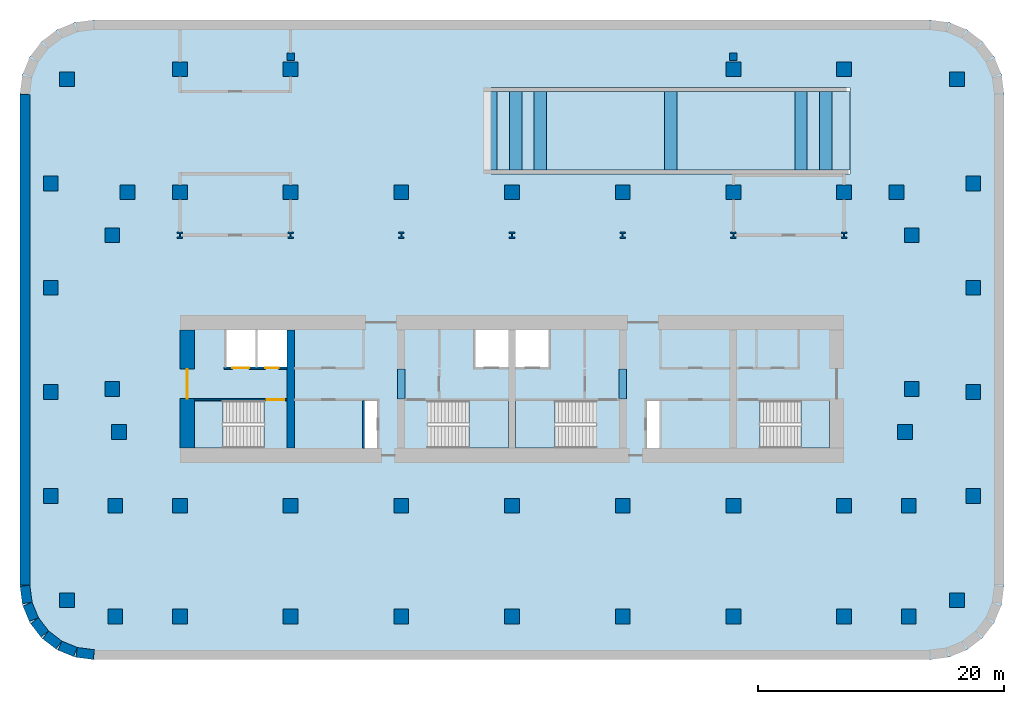
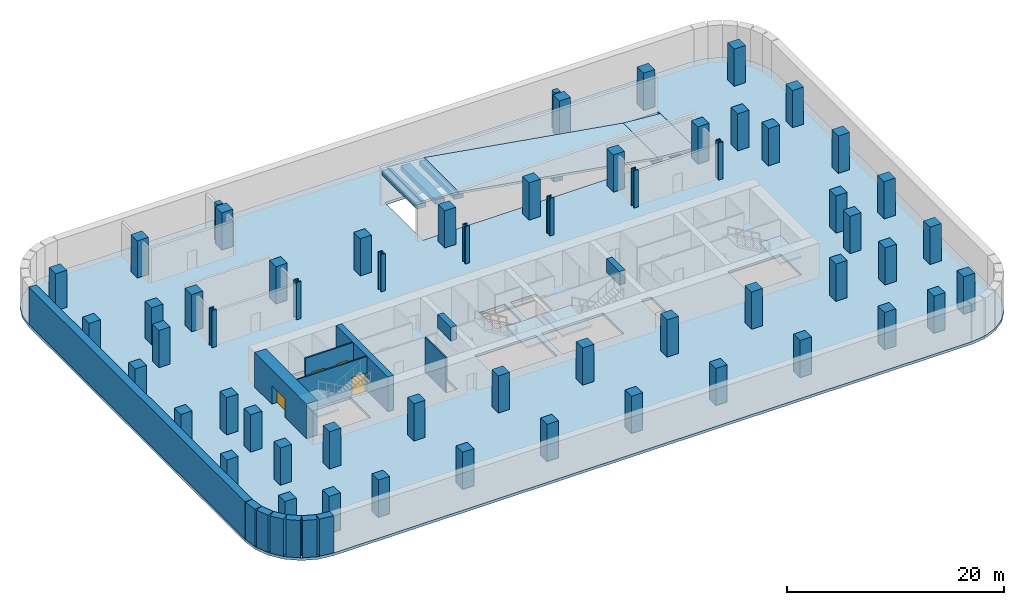
# One storey, part 1 of 5: 58 columns, 12 walls, 8 beams, 8 slabs, 4 doors, 4 openings, 5 elements without a shape of their own.
"""IFC4 building model written with IfcOpenShell, lengths in metres."""

import ifcopenshell
import ifcopenshell.guid

model = None  # the IFC model being written
_history = None  # IfcOwnerHistory: only IFC2X3 demands one
_inside = {}  # id of a spatial element -> (the spatial element, [elements in it])
_under = {}  # id of a project, library or spatial element -> (it, [spatial elements below it])
_declared = {}  # id of a project -> (the project, [libraries it declares])
_typed = {}  # id of a type object -> (the type object, [elements of that type])
_made_of = {}  # id of a material, layer set ... -> (it, [elements and type objects made of it])


def new_model(schema):
    """Start an empty IFC model of exactly this schema.

    Asked for "IFC4X3", IfcOpenShell would pick the latest addendum, in which some entities
    have other attributes; the version numbers below select the first issue.
    IFC2X3 requires an IfcOwnerHistory on every rooted entity: one is made here for all.
    """
    global model, _history
    if schema == "IFC4X3":
        model = ifcopenshell.file(schema_version=(4, 3, 0, 0))
    else:
        model = ifcopenshell.file(schema=schema)
    _inside.clear()
    _under.clear()
    _declared.clear()
    _typed.clear()
    _made_of.clear()
    _history = None
    if model.schema == "IFC2X3":
        org = make("IfcOrganization", Name="unknown")
        user = make(
            "IfcPersonAndOrganization",
            ThePerson=make("IfcPerson", FamilyName="unknown"),
            TheOrganization=org,
        )
        app = make(
            "IfcApplication",
            ApplicationDeveloper=org,
            Version="unknown",
            ApplicationFullName="unknown",
            ApplicationIdentifier="unknown",
        )
        _history = make(
            "IfcOwnerHistory",
            OwningUser=user,
            OwningApplication=app,
            ChangeAction="ADDED",
            CreationDate=0,
        )
    return model


def make(cls, **values):
    """One entity of the class cls with the attributes given. An attribute that is None is left unset."""
    return model.create_entity(
        cls, **{name: value for name, value in values.items() if value is not None}
    )


def rooted(cls, **values):
    """An entity with a GlobalId (a new one), such as an element, a storey or a relation."""
    return make(cls, GlobalId=ifcopenshell.guid.new(), OwnerHistory=_history, **values)


def si_unit(unit_type, name, prefix=None):
    """IfcSIUnit, for example si_unit("LENGTHUNIT", "METRE", prefix="MILLI")."""
    return make("IfcSIUnit", UnitType=unit_type, Prefix=prefix, Name=name)


def assignment(units):
    """IfcUnitAssignment: the units of a project."""
    return None if units is None else make("IfcUnitAssignment", Units=units)


def point(xyz):
    """IfcCartesianPoint."""
    return None if xyz is None else make("IfcCartesianPoint", Coordinates=xyz)


def direction(xyz):
    """IfcDirection."""
    return None if xyz is None else make("IfcDirection", DirectionRatios=xyz)


def frame(location, z_axis=None, x_axis=None):
    """IfcAxis2Placement3D, a coordinate frame: its origin and axes. An axis left out is left unset."""
    return make(
        "IfcAxis2Placement3D",
        Location=point(location),
        Axis=direction(z_axis),
        RefDirection=direction(x_axis),
    )


def frame_2d(location, x_axis=None):
    """IfcAxis2Placement2D, a coordinate frame in the plane: its origin and x axis."""
    return make(
        "IfcAxis2Placement2D", Location=point(location), RefDirection=direction(x_axis)
    )


def origin():
    """The frame at (0, 0, 0) with its axes left unset."""
    return frame((0.0, 0.0, 0.0))


def origin_2d():
    """The frame at (0, 0) in the plane with its x axis left unset."""
    return frame_2d((0.0, 0.0))


def place(relative_to, where):
    """IfcLocalPlacement: puts the frame where relative to a parent placement (None: the world)."""
    return make(
        "IfcLocalPlacement", PlacementRelTo=relative_to, RelativePlacement=where
    )


def context(
    kind, dimensions, precision=None, world=None, true_north=None, identifier=None
):
    """IfcGeometricRepresentationContext, for example the 3D "Model" context."""
    return make(
        "IfcGeometricRepresentationContext",
        ContextIdentifier=identifier,
        ContextType=kind,
        CoordinateSpaceDimension=dimensions,
        Precision=precision,
        WorldCoordinateSystem=world,
        TrueNorth=true_north,
    )


def subcontext(parent, identifier, kind, view, scale=None):
    """IfcGeometricRepresentationSubContext, for example "Body" below "Model"."""
    return make(
        "IfcGeometricRepresentationSubContext",
        ContextIdentifier=identifier,
        ContextType=kind,
        ParentContext=parent,
        TargetScale=scale,
        TargetView=view,
    )


def project(units=None, contexts=None):
    """IfcProject with its units and contexts."""
    return rooted(
        "IfcProject",
        Name="project",
        RepresentationContexts=contexts,
        UnitsInContext=assignment(units),
    )


def spatial(cls, under=None, at=None, **own):
    """A site, building, storey or space (cls), placed at a placement, below another one or the project."""
    s = rooted(cls, ObjectPlacement=at, **own)
    if under is not None:
        _under.setdefault(under.id(), (under, []))[1].append(s)
    return s


def polyline(points):
    """IfcPolyline through the points."""
    return make("IfcPolyline", Points=[point(p) for p in points])


def profile(cls, at=None, kind="AREA", **sizes):
    """A parametric profile (cls). Its sizes go by their IFC names, for example OverallWidth=200.0."""
    return make(cls, ProfileType=kind, Position=at, **sizes)


def rectangle(**sizes):
    """IfcRectangleProfileDef."""
    return profile("IfcRectangleProfileDef", **sizes)


def i_section(**sizes):
    """IfcIShapeProfileDef."""
    return profile("IfcIShapeProfileDef", **sizes)


def outline(outer, holes=None, kind="AREA"):
    """IfcArbitraryClosedProfileDef: a profile drawn as a closed curve; with holes, ...WithVoids."""
    if holes is None:
        return make("IfcArbitraryClosedProfileDef", ProfileType=kind, OuterCurve=outer)
    return make(
        "IfcArbitraryProfileDefWithVoids",
        ProfileType=kind,
        OuterCurve=outer,
        InnerCurves=holes,
    )


def extrude(swept, where, along, depth):
    """IfcExtrudedAreaSolid: the profile swept, set in the frame where, extruded along a direction by depth."""
    return make(
        "IfcExtrudedAreaSolid",
        SweptArea=swept,
        Position=where,
        ExtrudedDirection=direction(along),
        Depth=depth,
    )


def shape(context_of_items, identifier, shape_type, items):
    """IfcShapeRepresentation: the items that make up one representation, for example the "Body"."""
    return make(
        "IfcShapeRepresentation",
        ContextOfItems=context_of_items,
        RepresentationIdentifier=identifier,
        RepresentationType=shape_type,
        Items=items,
    )


def material(Name=None, Category=None):
    """IfcMaterial."""
    return make("IfcMaterial", Name=Name, Category=Category)


def layer(
    of_material, thickness, ventilated=None, Name=None, Category=None, Priority=None
):
    """IfcMaterialLayer: one layer of a wall or slab, of a material (None: an air gap)."""
    return make(
        "IfcMaterialLayer",
        Material=of_material,
        LayerThickness=thickness,
        IsVentilated=ventilated,
        Name=Name,
        Category=Category,
        Priority=Priority,
    )


def layer_set(layers, Name=None):
    """IfcMaterialLayerSet."""
    return make("IfcMaterialLayerSet", MaterialLayers=layers, LayerSetName=Name)


def material_profile(
    of_material, cross_section, Name=None, Category=None, Priority=None
):
    """IfcMaterialProfile: a cross section and its material."""
    return make(
        "IfcMaterialProfile",
        Name=Name,
        Material=of_material,
        Profile=cross_section,
        Priority=Priority,
        Category=Category,
    )


def profile_set(profiles, Name=None, composite=None):
    """IfcMaterialProfileSet."""
    return make(
        "IfcMaterialProfileSet",
        Name=Name,
        MaterialProfiles=profiles,
        CompositeProfile=composite,
    )


def made_of(thing, what):
    """Note that an element or type object is made of a material, layer set ...; save() writes the relation."""
    if what is not None:
        _made_of.setdefault(what.id(), (what, []))[1].append(thing)
    return thing


def type_object(cls, material=None, **own):
    """A type object (cls), such as IfcWallType, which elements share."""
    return made_of(rooted(cls, **own), material)


def element(
    cls,
    number,
    at=None,
    inside=None,
    cuts=None,
    type_object=None,
    material=None,
    context=None,
    identifier="Body",
    shape_type=None,
    held_by="IfcProductDefinitionShape",
    body=None,
    shapes=None,
    **own,
):
    """One element of the class cls, such as IfcWall. Its Tag is "e" and its number.

    at: its placement. inside: the storey or other place that contains it. cuts: it is an
    opening in that element (IfcRelVoidsElement). A single representation is given by context,
    identifier, shape_type and body (its items); several are given by shapes. held_by: the class
    of the entity that holds the representations. save() writes the other relations.
    """
    e = rooted(cls, Tag="e%d" % number, ObjectPlacement=at, **own)
    if body is not None:
        shapes = [shape(context, identifier, shape_type, body)]
    if shapes is not None:
        e.Representation = make(held_by, Representations=shapes)
    if inside is not None:
        _inside.setdefault(inside.id(), (inside, []))[1].append(e)
    if cuts is not None:
        rooted(
            "IfcRelVoidsElement", RelatingBuildingElement=cuts, RelatedOpeningElement=e
        )
    if type_object is not None:
        _typed.setdefault(type_object.id(), (type_object, []))[1].append(e)
    return made_of(e, material)


def fill(opening, filler):
    """IfcRelFillsElement: the door or window that sits in an opening."""
    return rooted(
        "IfcRelFillsElement",
        RelatingOpeningElement=opening,
        RelatedBuildingElement=filler,
    )


def aggregate(whole, parts):
    """IfcRelAggregates: a whole, such as a stair, and the parts it consists of."""
    return rooted("IfcRelAggregates", RelatingObject=whole, RelatedObjects=parts)


def save(model, path):
    """Write the relations noted so far, then the file.

    IfcRelAggregates (storeys below a building ...), IfcRelContainedInSpatialStructure (elements
    in a storey), IfcRelDefinesByType, IfcRelAssociatesMaterial and IfcRelDeclares: one each for
    every whole, place, type object, material and project.
    """
    for whole, parts in _under.values():
        aggregate(whole, parts)
    for where, things in _inside.values():
        rooted(
            "IfcRelContainedInSpatialStructure",
            RelatedElements=things,
            RelatingStructure=where,
        )
    for kind, things in _typed.values():
        rooted("IfcRelDefinesByType", RelatedObjects=things, RelatingType=kind)
    for what, things in _made_of.values():
        rooted("IfcRelAssociatesMaterial", RelatedObjects=things, RelatingMaterial=what)
    for by, libraries in _declared.values():
        rooted("IfcRelDeclares", RelatingContext=by, RelatedDefinitions=libraries)
    model.write(path)


model = new_model("IFC4")

# Units and contexts
model_context = context("Model", 3, precision=1e-05, world=origin(), true_north=direction((0.0, 1.0)))
body_context = subcontext(model_context, "Body", "Model", "MODEL_VIEW")
ifc_project = project(units=[si_unit("LENGTHUNIT", "METRE"), si_unit("AREAUNIT", "SQUARE_METRE"), si_unit("VOLUMEUNIT", "CUBIC_METRE"), si_unit("PLANEANGLEUNIT", "RADIAN"), si_unit("MASSUNIT", "GRAM", prefix="KILO")], contexts=[model_context])

# Site, building, storey
site_placement = place(None, origin())
site = spatial("IfcSite", under=ifc_project, at=site_placement, CompositionType="ELEMENT")
building_placement = place(site_placement, origin())
building = spatial("IfcBuilding", under=site, at=building_placement, Name="Zellij Exchange Tower", CompositionType="ELEMENT")
storey_placement = place(building_placement, frame((0.0, 0.0, -8.39990234375)))
storey = spatial("IfcBuildingStorey", under=building, at=storey_placement, Name="B2", CompositionType="ELEMENT", Elevation=-8.39990234375)

# Columns
ifc_material_1 = material(Name="Concrete C70/85", Category="concrete")
ifc_material_profile_1 = material_profile(ifc_material_1, rectangle(XDim=1.199951171875, YDim=1.199951171875, at=origin_2d()), Name="STR-COLUMN RC1200x1200 C70/85")
ifc_profile_set_1 = profile_set([ifc_material_profile_1], Name="Concrete C70/85")
column_type_1 = type_object("IfcColumnType", Name="STR-COLUMN RC1200x1200 C70/85", PredefinedType="COLUMN", material=ifc_profile_set_1)
for number, where, z_axis, x_axis, name in (
    (1, (-32.25, -26.5, 0.0), (0.0, 0.0, 1.0), (1.0, 0.0, 0.0), "C12"),
    (2, (-27.0, -26.5, 0.0), (0.0, 0.0, 1.0), (1.0, 0.0, 0.0), "C12"),
    (3, (-18.0, -26.5, 0.0), (0.0, 0.0, 1.0), (1.0, 0.0, 0.0), "C12"),
    (4, (-9.0, -26.5, 0.0), (0.0, 0.0, 1.0), (1.0, 0.0, 0.0), "C12"),
    (5, (0.0, -26.5, 0.0), (0.0, 0.0, 1.0), (1.0, 0.0, 0.0), "C12"),
    (6, (9.0, -26.5, 0.0), (0.0, 0.0, 1.0), (1.0, 0.0, 0.0), "C12"),
    (7, (18.0, -26.5, 0.0), (0.0, 0.0, 1.0), (1.0, 0.0, 0.0), "C12"),
    (8, (27.0, -26.5, 0.0), (0.0, 0.0, 1.0), (1.0, 0.0, 0.0), "C12"),
    (9, (32.25, -26.5, 0.0), (0.0, 0.0, 1.0), (1.0, 0.0, 0.0), "C12"),
    (10, (-36.181884765625, -25.181884765625, 0.0), (0.0, 0.0, 1.0), (1.0, 0.0, 0.0), "C12"),
    (11, (36.181884765625, -25.181884765625, 0.0), (0.0, 0.0, 1.0), (1.0, 0.0, 0.0), "C12"),
    (12, (-32.25, -17.5, 0.0), (0.0, 0.0, 1.0), (1.0, 0.0, 0.0), "C12"),
    (13, (-27.0, -17.5, 0.0), (0.0, 0.0, 1.0), (1.0, 0.0, 0.0), "C12"),
    (14, (-18.0, -17.5, 0.0), (0.0, 0.0, 1.0), (1.0, 0.0, 0.0), "C12"),
    (15, (-9.0, -17.5, 0.0), (0.0, 0.0, 1.0), (1.0, 0.0, 0.0), "C12"),
    (16, (0.0, -17.5, 0.0), (0.0, 0.0, 1.0), (1.0, 0.0, 0.0), "C12"),
    (17, (9.0, -17.5, 0.0), (0.0, 0.0, 1.0), (1.0, 0.0, 0.0), "C12"),
    (18, (18.0, -17.5, 0.0), (0.0, 0.0, 1.0), (1.0, 0.0, 0.0), "C12"),
    (19, (27.0, -17.5, 0.0), (0.0, 0.0, 1.0), (1.0, 0.0, 0.0), "C12"),
    (20, (32.25, -17.5, 0.0), (0.0, 0.0, 1.0), (1.0, 0.0, 0.0), "C12"),
    (21, (-37.5, -16.709228515625, 0.0), (0.0, 0.0, 1.0), (1.0, 0.0, 0.0), "C12"),
    (22, (37.5, -16.709228515625, 0.0), (0.0, 0.0, 1.0), (1.0, 0.0, 0.0), "C12"),
    (23, (-31.949951171875, -11.5, 0.0), (0.0, 0.0, 1.0), (1.0, 0.0, 0.0), "C12"),
    (24, (31.949951171875, -11.5, 0.0), (0.0, 0.0, 1.0), (1.0, 0.0, 0.0), "C12"),
    (25, (-37.5, -8.236328125, 0.0), (0.0, 0.0, 1.0), (1.0, 0.0, 0.0), "C12"),
    (26, (37.5, -8.236328125, 0.0), (0.0, 0.0, 1.0), (1.0, 0.0, 0.0), "C12"),
    (27, (-32.5, -8.0, 0.0), (0.0, 0.0, 1.0), (1.0, 0.0, 0.0), "C12"),
    (28, (32.5, -8.0, 0.0), (0.0, 0.0, 1.0), (1.0, 0.0, 0.0), "C12"),
    (29, (-37.5, 0.236328125, 0.0), (0.0, 0.0, 1.0), (1.0, 0.0, 0.0), "C12"),
    (30, (37.5, 0.236328125, 0.0), (0.0, 0.0, 1.0), (1.0, 0.0, 0.0), "C12"),
    (31, (-32.5, 4.5, 0.0), (0.0, 0.0, 1.0), (1.0, 0.0, 0.0), "C12"),
    (32, (32.5, 4.5, 0.0), (0.0, 0.0, 1.0), (1.0, 0.0, 0.0), "C12"),
    (33, (-31.25, 8.0, 0.0), (0.0, 0.0, 1.0), (1.0, 0.0, 0.0), "C12"),
    (34, (-27.0, 8.0, 0.0), (0.0, 0.0, 1.0), (1.0, 0.0, 0.0), "C12"),
    (35, (-18.0, 8.0, 0.0), (0.0, 0.0, 1.0), (1.0, 0.0, 0.0), "C12"),
    (36, (-9.0, 8.0, 0.0), (0.0, 0.0, 1.0), (1.0, 0.0, 0.0), "C12"),
    (37, (0.0, 8.0, 0.0), (0.0, 0.0, 1.0), (1.0, 0.0, 0.0), "C12"),
    (38, (9.0, 8.0, 0.0), (0.0, 0.0, 1.0), (1.0, 0.0, 0.0), "C12"),
    (39, (18.0, 8.0, 0.0), (0.0, 0.0, 1.0), (1.0, 0.0, 0.0), "C12"),
    (40, (27.0, 8.0, 0.0), (0.0, 0.0, 1.0), (1.0, 0.0, 0.0), "C12"),
    (41, (31.25, 8.0, 0.0), (0.0, 0.0, 1.0), (1.0, 0.0, 0.0), "C12"),
    (42, (-37.5, 8.709228515625, 0.0), (0.0, 0.0, 1.0), (1.0, 0.0, 0.0), "C12"),
    (43, (37.5, 8.709228515625, 0.0), (0.0, 0.0, 1.0), (1.0, 0.0, 0.0), "C12"),
    (44, (-36.181884765625, 17.181884765625, 0.0), (0.0, 0.0, 1.0), (1.0, 0.0, 0.0), "C12"),
    (45, (36.181884765625, 17.181884765625, 0.0), (0.0, 0.0, 1.0), (1.0, 0.0, 0.0), "C12"),
    (46, (-27.0, 18.0, 0.0), (0.0, 0.0, 1.0), (1.0, 0.0, 0.0), "C12"),
    (47, (-18.0, 18.0, 0.0), (0.0, 0.0, 1.0), (1.0, 0.0, 0.0), "C12"),
    (48, (18.0, 18.0, 0.0), (0.0, 0.0, 1.0), (1.0, 0.0, 0.0), "C12"),
    (49, (27.0, 18.0, 0.0), (0.0, 0.0, 1.0), (1.0, 0.0, 0.0), "C12"),
):
    element("IfcColumn", number, at=place(storey_placement, frame(where, z_axis=z_axis, x_axis=x_axis)), inside=storey, type_object=column_type_1, Name=name, PredefinedType="COLUMN", context=body_context, shape_type="SweptSolid", body=[
        extrude(rectangle(XDim=1.199951171875, YDim=1.199951171875, at=origin_2d()), origin(), (0.0, 0.0, 1.0), 4.199951171875),
    ])
ifc_material_profile_2 = material_profile(ifc_material_1, rectangle(XDim=0.60009765625, YDim=0.60009765625, at=origin_2d()), Name="STR-COLUMN RC600x600 C70/85")
ifc_profile_set_2 = profile_set([ifc_material_profile_2], Name="Concrete C70/85")
column_type_2 = type_object("IfcColumnType", Name="STR-COLUMN RC600x600 C70/85", PredefinedType="COLUMN", material=ifc_profile_set_2)
for number, where, z_axis, x_axis, name in (
    (50, (-18.0, 19.0, 0.0), (0.0, 0.0, 1.0), (1.0, 0.0, 0.0), "C17"),
    (51, (18.0, 19.0, 0.0), (0.0, 0.0, 1.0), (1.0, 0.0, 0.0), "C17"),
):
    element("IfcColumn", number, at=place(storey_placement, frame(where, z_axis=z_axis, x_axis=x_axis)), inside=storey, type_object=column_type_2, Name=name, PredefinedType="COLUMN", context=body_context, shape_type="SweptSolid", body=[
        extrude(rectangle(XDim=0.60009765625, YDim=0.60009765625, at=origin_2d()), origin(), (0.0, 0.0, 1.0), 4.199951171875),
    ])
ifc_material_2 = material(Name="Structural steel ASTM A913 Gr 65", Category="steel")
ifc_material_profile_3 = material_profile(ifc_material_2, i_section(OverallWidth=0.45458984375, OverallDepth=0.56884765625, WebThickness=0.077880859375, FlangeThickness=0.124755859375, at=origin_2d()), Name="W14x730")
ifc_profile_set_3 = profile_set([ifc_material_profile_3], Name="Structural steel ASTM A913 Gr 65")
column_type_3 = type_object("IfcColumnType", Name="STR-COLUMN W14x730", PredefinedType="COLUMN", material=ifc_profile_set_3)
for number, where, z_axis, x_axis, name in (
    (52, (-27.0, 4.5, 0.0), (0.0, 0.0, 1.0), (1.0, 0.0, 0.0), "C7"),
    (53, (-18.0, 4.5, 0.0), (0.0, 0.0, 1.0), (1.0, 0.0, 0.0), "C7"),
    (54, (-9.0, 4.5, 0.0), (0.0, 0.0, 1.0), (1.0, 0.0, 0.0), "C7"),
    (55, (0.0, 4.5, 0.0), (0.0, 0.0, 1.0), (1.0, 0.0, 0.0), "C7"),
    (56, (9.0, 4.5, 0.0), (0.0, 0.0, 1.0), (1.0, 0.0, 0.0), "C7"),
    (57, (18.0, 4.5, 0.0), (0.0, 0.0, 1.0), (1.0, 0.0, 0.0), "C7"),
    (58, (27.0, 4.5, 0.0), (0.0, 0.0, 1.0), (1.0, 0.0, 0.0), "C7"),
):
    element("IfcColumn", number, at=place(storey_placement, frame(where, z_axis=z_axis, x_axis=x_axis)), inside=storey, type_object=column_type_3, Name=name, PredefinedType="COLUMN", context=body_context, shape_type="SweptSolid", body=[
        extrude(i_section(OverallWidth=0.45458984375, OverallDepth=0.56884765625, WebThickness=0.077880859375, FlangeThickness=0.124755859375, at=origin_2d()), origin(), (0.0, 0.0, 1.0), 4.199951171875),
    ])

# Beams
ifc_material_3 = material(Name="Concrete C40/50", Category="concrete")
beam_type_1 = type_object("IfcBeamType", Name="BSM-Ramp bearing beam 1000x500 C40/50", PredefinedType="BEAM", material=ifc_material_3)
beam_1_placement = place(storey_placement, frame((-2.199951171875, 9.800048828125, 3.949951171875), z_axis=(0.04244219063, 0.0, 0.999098924259), x_axis=(0.999098924259, 0.0, -0.04244219063)))
element("IfcBeam", 59, at=beam_1_placement, inside=storey, type_object=beam_type_1, Name="Car park ramp R2 bearing beam", PredefinedType="BEAM", context=body_context, shape_type="SweptSolid", body=[
    extrude(outline(polyline([(0.0, 0.0), (1.0009018884112568, 0.0), (1.0009018884112568, 6.39990234375), (0.0, 6.39990234375), (0.0, 0.0)])), origin(), (0.04244219063, 0.0, -0.999098924259), 0.5),
])
beam_2_placement = place(storey_placement, frame((-0.199951171875, 9.800048828125, 3.823974609375), z_axis=(0.082964939243, 0.0, 0.996552466685), x_axis=(0.996552466685, 0.0, -0.082964939243)))
element("IfcBeam", 60, at=beam_2_placement, inside=storey, type_object=beam_type_1, Name="Car park ramp R2 bearing beam", PredefinedType="BEAM", context=body_context, shape_type="SweptSolid", body=[
    extrude(outline(polyline([(0.0, 0.0), (1.0034594599181013, 0.0), (1.0034594599181013, 6.399902343750002), (0.0, 6.399902343750002), (0.0, 0.0)])), origin(), (0.082964939243, 0.0, -0.996552466685), 0.5),
])
beam_3_placement = place(storey_placement, frame((1.800048828125, 9.800048828125, 3.657470703125), z_axis=(0.126657236826, 0.0, 0.991946543096), x_axis=(0.991946543096, 0.0, -0.126657236826)))
element("IfcBeam", 61, at=beam_3_placement, inside=storey, type_object=beam_type_1, Name="Car park ramp R2 bearing beam", PredefinedType="BEAM", context=body_context, shape_type="SweptSolid", body=[
    extrude(outline(polyline([(0.0, 0.0), (1.008118841645551, 0.0), (1.008118841645551, 6.39990234375), (0.0, 6.39990234375), (0.0, 0.0)])), origin(), (0.126657236826, 0.0, -0.991946543096), 0.5),
])
beam_4_placement = place(storey_placement, frame((12.39990234375, 9.800048828125, 1.9296875), z_axis=(0.164242774315, 0.0, 0.986419946618), x_axis=(0.986419946618, 0.0, -0.164242774315)))
element("IfcBeam", 62, at=beam_4_placement, inside=storey, type_object=beam_type_1, Name="Car park ramp R2 bearing beam", PredefinedType="BEAM", context=body_context, shape_type="SweptSolid", body=[
    extrude(outline(polyline([(0.0, 0.0), (1.013767010114508, 0.0), (1.013767010114508, 6.39990234375), (0.0, 6.39990234375), (0.0, 0.0)])), origin(), (0.164242774315, 0.0, -0.986419946618), 0.5),
])
beam_5_placement = place(storey_placement, frame((23.0, 9.800048828125, 0.1630859375), z_axis=(0.121409630638, 0.0, 0.992602489211), x_axis=(0.992602489211, 0.0, -0.121409630638)))
element("IfcBeam", 63, at=beam_5_placement, inside=storey, type_object=beam_type_1, Name="Car park ramp R2 bearing beam", PredefinedType="BEAM", context=body_context, shape_type="SweptSolid", body=[
    extrude(outline(polyline([(0.0, 0.0), (1.0074526417868326, 0.0), (1.0074526417868326, 6.39990234375), (0.0, 6.39990234375), (0.0, 0.0)])), origin(), (0.121409630638, 0.0, -0.992602489211), 0.5),
])
beam_6_placement = place(storey_placement, frame((25.0, 9.800048828125, -0.04248046875), z_axis=(0.083206556192, 0.0, 0.996532322108), x_axis=(0.996532322108, 0.0, -0.083206556192)))
element("IfcBeam", 64, at=beam_6_placement, inside=storey, type_object=beam_type_1, Name="Car park ramp R2 bearing beam", PredefinedType="BEAM", context=body_context, shape_type="SweptSolid", body=[
    extrude(outline(polyline([(0.0, 0.0), (1.0034797445247756, 0.0), (1.0034797445247756, 6.39990234375), (0.0, 6.39990234375), (0.0, 0.0)])), origin(), (0.083206556192, 0.0, -0.996532322108), 0.5),
])
ifc_material_profile_4 = material_profile(ifc_material_1, rectangle(XDim=0.60009765625, YDim=1.5, at=origin_2d()), Name="CORE-CB 600x1500 C70/85")
ifc_profile_set_4 = profile_set([ifc_material_profile_4], Name="Concrete C70/85")
beam_type_2 = type_object("IfcBeamType", Name="CORE-CB 600x1500 C70/85", PredefinedType="BEAM", material=ifc_profile_set_4)
for number, where, z_axis, x_axis, name in (
    (65, (-9.0, -8.800048828125, 3.14990234375), (0.0, 1.0, 0.0), (-1.0, 0.0, 0.0), "Core coupling beam x -9 B2"),
    (66, (9.0, -8.800048828125, 3.14990234375), (0.0, 1.0, 0.0), (-1.0, 0.0, 0.0), "Core coupling beam x 9 B2"),
):
    element("IfcBeam", number, at=place(storey_placement, frame(where, z_axis=z_axis, x_axis=x_axis)), inside=storey, type_object=beam_type_2, Name=name, PredefinedType="BEAM", context=body_context, shape_type="SweptSolid", body=[
        extrude(rectangle(XDim=0.60009765625, YDim=1.5, at=origin_2d()), origin(), (0.0, 0.0, 1.0), 2.425048828125),
    ])

# Ramp, slabs
ramp_type = type_object("IfcRampType", Name="BSM-Car ramp 6400", PredefinedType="STRAIGHT_RUN_RAMP", material=ifc_material_3)
ramp_placement = place(storey_placement, origin())
ramp = element("IfcRamp", 67, at=ramp_placement, inside=storey, type_object=ramp_type, Name="Car park ramp R2", PredefinedType="STRAIGHT_RUN_RAMP")
ifc_layer_1 = layer(ifc_material_3, 0.25)
ifc_layer_set_1 = layer_set([ifc_layer_1], Name="Concrete C40/50")
slab_type_1 = type_object("IfcSlabType", Name="BSM-Ramp slab 250 C40/50", PredefinedType="LANDING", material=ifc_layer_set_1)
slab_1_placement = place(storey_placement, frame((-1.699951171875, 9.800048828125, 4.199951171875), z_axis=(0.083025344854, 0.0, 0.996547435957), x_axis=(0.996547435957, 0.0, -0.083025344854)))
slab_1 = element("IfcSlab", 68, at=slab_1_placement, type_object=slab_type_1, Name="Car park ramp R2 upper transition", PredefinedType="LANDING", context=body_context, shape_type="SweptSolid", body=[
    extrude(outline(polyline([(0.0, 0.0), (4.013858102158275, 0.0), (4.013858102158275, 6.39990234375), (0.0, 6.39990234375), (0.0, 0.0)])), origin(), (0.083025344854, 0.0, -0.996547435957), 0.2509765625),
])
slab_2_placement = place(storey_placement, frame((2.300048828125, 9.800048828125, 3.86669921875), z_axis=(0.164404513495, 0.0, 0.986393002785), x_axis=(0.986393002785, 0.0, -0.164404513495)))
slab_2 = element("IfcSlab", 69, at=slab_2_placement, type_object=slab_type_1, Name="Car park ramp R2 main run", PredefinedType="LANDING", context=body_context, shape_type="SweptSolid", body=[
    extrude(outline(polyline([(0.0, 0.0), (21.49239817397856, 0.0), (21.49239817397856, 6.39990234375), (0.0, 6.39990234375), (0.0, 0.0)])), origin(), (0.164404513495, 0.0, -0.986393002785), 0.25341796875),
])
slab_3_placement = place(storey_placement, frame((23.5, 9.800048828125, 0.333251953125), z_axis=(0.083025344854, 0.0, 0.996547435957), x_axis=(0.996547435957, 0.0, -0.083025344854)))
slab_3 = element("IfcSlab", 70, at=slab_3_placement, type_object=slab_type_1, Name="Car park ramp R2 lower transition", PredefinedType="LANDING", context=body_context, shape_type="SweptSolid", body=[
    extrude(outline(polyline([(0.0, 0.0), (4.013858102158275, 0.0), (4.013858102158275, 6.39990234375), (0.0, 6.39990234375), (0.0, 0.0)])), origin(), (0.083025344854, 0.0, -0.996547435957), 0.2509765625),
])
aggregate(ramp, [slab_1, slab_2, slab_3])

# Stair, slab
stair_type = type_object("IfcStairType", Name="CORE-ST exit stair 1850 wide", PredefinedType="HALF_TURN_STAIR", material=ifc_material_3)
stair_1_placement = place(storey_placement, origin())
stair_1 = element("IfcStair", 71, at=stair_1_placement, inside=storey, type_object=stair_type, Name="B2 exit stair ST1", PredefinedType="HALF_TURN_STAIR")
ifc_layer_2 = layer(ifc_material_3, 0.199951171875)
ifc_layer_set_2 = layer_set([ifc_layer_2], Name="Concrete C40/50")
slab_type_2 = type_object("IfcSlabType", Name="CORE-SL stair landing 200", PredefinedType="LANDING", material=ifc_layer_set_2)
slab_4_placement = place(storey_placement, frame((0.0, 0.0, 1.89990234375)))
slab_4 = element("IfcSlab", 72, at=slab_4_placement, type_object=slab_type_2, Name="ST1 landing 1", PredefinedType="LANDING", context=body_context, shape_type="SweptSolid", body=[
    extrude(outline(polyline([(-23.510009765625, -8.949951171875), (-25.800048828125, -8.949951171875), (-25.800048828125, -12.800048828125), (-23.510009765625, -12.800048828125), (-23.510009765625, -8.949951171875)])), origin(), (0.0, 0.0, 1.0), 0.199951171875),
])
aggregate(stair_1, [slab_4])

stair_2_placement = place(storey_placement, origin())
stair_2 = element("IfcStair", 73, at=stair_2_placement, inside=storey, type_object=stair_type, Name="B2 exit stair ST2", PredefinedType="HALF_TURN_STAIR")
slab_5_placement = place(storey_placement, frame((0.0, 0.0, 1.89990234375)))
slab_5 = element("IfcSlab", 74, at=slab_5_placement, type_object=slab_type_2, Name="ST2 landing 1", PredefinedType="LANDING", context=body_context, shape_type="SweptSolid", body=[
    extrude(outline(polyline([(-3.489990234375, -12.800048828125), (-0.300048828125, -12.800048828125), (-0.300048828125, -8.949951171875), (-3.489990234375, -8.949951171875), (-3.489990234375, -12.800048828125)])), origin(), (0.0, 0.0, 1.0), 0.199951171875),
])
aggregate(stair_2, [slab_5])

stair_3_placement = place(storey_placement, origin())
stair_3 = element("IfcStair", 75, at=stair_3_placement, inside=storey, type_object=stair_type, Name="B2 exit stair ST3", PredefinedType="HALF_TURN_STAIR")
slab_6_placement = place(storey_placement, frame((0.0, 0.0, 1.89990234375)))
slab_6 = element("IfcSlab", 76, at=slab_6_placement, type_object=slab_type_2, Name="ST3 landing 1", PredefinedType="LANDING", context=body_context, shape_type="SweptSolid", body=[
    extrude(outline(polyline([(3.489990234375, -8.949951171875), (0.300048828125, -8.949951171875), (0.300048828125, -12.800048828125), (3.489990234375, -12.800048828125), (3.489990234375, -8.949951171875)])), origin(), (0.0, 0.0, 1.0), 0.199951171875),
])
aggregate(stair_3, [slab_6])

stair_4_placement = place(storey_placement, origin())
stair_4 = element("IfcStair", 77, at=stair_4_placement, inside=storey, type_object=stair_type, Name="B2 exit stair ST4", PredefinedType="HALF_TURN_STAIR")
slab_7_placement = place(storey_placement, frame((0.0, 0.0, 1.89990234375)))
slab_7 = element("IfcSlab", 78, at=slab_7_placement, type_object=slab_type_2, Name="ST4 landing 1", PredefinedType="LANDING", context=body_context, shape_type="SweptSolid", body=[
    extrude(outline(polyline([(23.510009765625, -12.800048828125), (25.800048828125, -12.800048828125), (25.800048828125, -8.949951171875), (23.510009765625, -8.949951171875), (23.510009765625, -12.800048828125)])), origin(), (0.0, 0.0, 1.0), 0.199951171875),
])
aggregate(stair_4, [slab_7])

# Slab
ifc_layer_3 = layer(ifc_material_3, 0.300048828125)
ifc_layer_set_3 = layer_set([ifc_layer_3], Name="Concrete C40/50")
slab_type_3 = type_object("IfcSlabType", Name="STR-FLOOR SLAB 300 C40/50", PredefinedType="FLOOR", material=ifc_layer_set_3)
slab_8_placement = place(storey_placement, frame((0.0, 0.0, -0.30029296875)))
element("IfcSlab", 79, at=slab_8_placement, inside=storey, type_object=slab_type_3, Name="Floor B2", PredefinedType="FLOOR", context=body_context, shape_type="SweptSolid", body=[
    extrude(outline(polyline([(-34.0, -30.0), (-35.552978515625, -29.795654296875), (-37.0, -29.1962890625), (-38.24267578125, -28.24267578125), (-39.1962890625, -27.0), (-39.795654296875, -25.552978515625), (-40.0, -24.0), (-40.0, 16.0), (-39.795654296875, 17.552978515625), (-39.1962890625, 19.0), (-38.24267578125, 20.24267578125), (-37.0, 21.1962890625), (-35.552978515625, 21.795654296875), (-34.0, 22.0), (34.0, 22.0), (35.552978515625, 21.795654296875), (37.0, 21.1962890625), (38.24267578125, 20.24267578125), (39.1962890625, 19.0), (39.795654296875, 17.552978515625), (40.0, 16.0), (40.0, -24.0), (39.795654296875, -25.552978515625), (39.1962890625, -27.0), (38.24267578125, -28.24267578125), (37.0, -29.1962890625), (35.552978515625, -29.795654296875), (34.0, -30.0), (-34.0, -30.0)]), holes=[polyline([(-25.800048828125, -8.949951171875), (-25.800048828125, -12.800048828125), (-20.153076171875, -12.800048828125), (-20.153076171875, -8.949951171875), (-25.800048828125, -8.949951171875)]), polyline([(-12.0, -8.949951171875), (-12.0, -12.800048828125), (-10.949951171875, -12.800048828125), (-10.949951171875, -8.949951171875), (-12.0, -8.949951171875)]), polyline([(-6.846923828125, -8.949951171875), (-6.846923828125, -12.800048828125), (-0.300048828125, -12.800048828125), (-0.300048828125, -8.949951171875), (-6.846923828125, -8.949951171875)]), polyline([(6.846923828125, -8.949951171875), (0.300048828125, -8.949951171875), (0.300048828125, -12.800048828125), (6.846923828125, -12.800048828125), (6.846923828125, -8.949951171875)]), polyline([(12.0, -8.949951171875), (10.949951171875, -8.949951171875), (10.949951171875, -12.800048828125), (12.0, -12.800048828125), (12.0, -8.949951171875)]), polyline([(20.153076171875, -8.949951171875), (20.153076171875, -12.800048828125), (25.800048828125, -12.800048828125), (25.800048828125, -8.949951171875), (20.153076171875, -8.949951171875)]), polyline([(-23.25, -3.199951171875), (-23.25, -6.22509765625), (-18.300048828125, -6.22509765625), (-18.300048828125, -3.199951171875), (-23.25, -3.199951171875)]), polyline([(-3.0, -3.199951171875), (-3.0, -6.22509765625), (-0.300048828125, -6.22509765625), (-0.300048828125, -3.199951171875), (-3.0, -3.199951171875)]), polyline([(3.0, -3.199951171875), (0.300048828125, -3.199951171875), (0.300048828125, -6.22509765625), (3.0, -6.22509765625), (3.0, -3.199951171875)]), polyline([(27.5, 16.5), (-1.705078125, 16.5), (-1.705078125, 9.5), (27.5, 9.5), (27.5, 16.5)])]), origin(), (0.0, 0.0, 1.0), 0.30029296875),
])

# Wall
ifc_layer_4 = layer(ifc_material_1, 0.60009765625)
ifc_layer_set_4 = layer_set([ifc_layer_4], Name="Concrete C70/85")
wall_type_1 = type_object("IfcWallType", Name="CORE-CW 600 C70/85", PredefinedType="SHEAR", material=ifc_layer_set_4)
wall_1_placement = place(storey_placement, frame((-18.0, -12.800048828125, 0.0), z_axis=(0.0, 0.0, 1.0), x_axis=(0.0, 1.0, 0.0)))
element("IfcWall", 80, at=wall_1_placement, inside=storey, type_object=wall_type_1, Name="Core cross wall x -18 B2", PredefinedType="SHEAR", context=body_context, shape_type="SweptSolid", body=[
    extrude(rectangle(XDim=9.60009765625, YDim=0.60009765625, at=frame_2d((4.800048828125, 0.0))), origin(), (0.0, 0.0, 1.0), 3.89990234375),
])

# Wall, openings, doors
ifc_material_4 = material(Name="Gypsum shaft wall system")
ifc_layer_5 = layer(ifc_material_4, 0.14990234375)
ifc_layer_set_5 = layer_set([ifc_layer_5], Name="Gypsum shaft wall system")
wall_type_2 = type_object("IfcWallType", Name="CORE-PW 150 Lift shaft wall", PredefinedType="PARTITIONING", material=ifc_layer_set_5)
wall_2_placement = place(storey_placement, frame((-23.39990234375, -6.300048828125, 0.0), z_axis=(0.0, 0.0, 1.0), x_axis=(1.0, 0.0, 0.0)))
wall_2 = element("IfcWall", 81, at=wall_2_placement, inside=storey, type_object=wall_type_2, Name="Lift shaft wall B2", PredefinedType="PARTITIONING", context=body_context, shape_type="SweptSolid", body=[
    extrude(rectangle(XDim=5.099853515625, YDim=0.14990234375, at=frame_2d((2.5498046875, 0.0))), origin(), (0.0, 0.0, 1.0), 3.89990234375),
])
opening_1_placement = place(wall_2_placement, frame((0.64990234375, 0.0, 0.0)))
opening_1 = element("IfcOpeningElement", 82, at=opening_1_placement, cuts=wall_2, Name="Opening CA-01.02", PredefinedType="OPENING", context=body_context, shape_type="SweptSolid", body=[
    extrude(rectangle(XDim=1.39990234375, YDim=2.10009765625, at=frame_2d((0.699951171875, 1.050048828125))), frame((0.0, 0.0869140625, 0.0), z_axis=(0.0, -1.0, 0.0), x_axis=(1.0, 0.0, 0.0)), (0.0, 0.0, 1.0), 0.173828125),
])
opening_2_placement = place(wall_2_placement, frame((3.35009765625, 0.0, 0.0)))
opening_2 = element("IfcOpeningElement", 83, at=opening_2_placement, cuts=wall_2, Name="Opening CA-01.03", PredefinedType="OPENING", context=body_context, shape_type="SweptSolid", body=[
    extrude(rectangle(XDim=1.10009765625, YDim=2.10009765625, at=frame_2d((0.550048828125, 1.050048828125))), frame((0.0, 0.0869140625, 0.0), z_axis=(0.0, -1.0, 0.0), x_axis=(1.0, 0.0, 0.0)), (0.0, 0.0, 1.0), 0.173828125),
])
ifc_material_5 = material(Name="Hollow metal fire door")
door_type_1 = type_object("IfcDoorType", Name="CORE-D LD Lift landing door 1100x2100 1.5 HR", OperationType="NOTDEFINED", PredefinedType="DOOR", material=ifc_material_5)
door_1_placement = place(opening_2_placement, origin())
door_1 = element("IfcDoor", 84, at=door_1_placement, inside=storey, type_object=door_type_1, Name="Lift landing door CA-01.03", OperationType="SLIDING_TO_LEFT", OverallHeight=2.10009765625, OverallWidth=1.10009765625, PredefinedType="DOOR", context=body_context, shape_type="SweptSolid", body=[
    extrude(rectangle(XDim=1.10009765625, YDim=2.10009765625, at=frame_2d((0.550048828125, 1.050048828125))), frame((0.0, 0.02490234375, 0.0), z_axis=(0.0, -1.0, 0.0), x_axis=(1.0, 0.0, 0.0)), (0.0, 0.0, 1.0), 0.050048828125),
])
fill(opening_2, door_1)
door_type_2 = type_object("IfcDoorType", Name="CORE-D LD2 Service lift landing door 1400x2100 1.5 HR", OperationType="NOTDEFINED", PredefinedType="DOOR", material=ifc_material_5)
door_2_placement = place(opening_1_placement, origin())
door_2 = element("IfcDoor", 85, at=door_2_placement, inside=storey, type_object=door_type_2, Name="Service lift landing door CA-01.02", OperationType="SLIDING_TO_RIGHT", OverallHeight=2.10009765625, OverallWidth=1.39990234375, PredefinedType="DOOR", context=body_context, shape_type="SweptSolid", body=[
    extrude(rectangle(XDim=1.39990234375, YDim=2.10009765625, at=frame_2d((0.699951171875, 1.050048828125))), frame((0.0, 0.02490234375, 0.0), z_axis=(0.0, -1.0, 0.0), x_axis=(1.0, 0.0, 0.0)), (0.0, 0.0, 1.0), 0.050048828125),
])
fill(opening_1, door_2)

# Wall
ifc_layer_6 = layer(ifc_material_4, 0.14990234375)
ifc_layer_set_6 = layer_set([ifc_layer_6], Name="Gypsum shaft wall system")
wall_type_3 = type_object("IfcWallType", Name="CORE-PW 150 Plant room wall", PredefinedType="PARTITIONING", material=ifc_layer_set_6)
wall_3_placement = place(storey_placement, frame((-12.074951171875, -12.800048828125, 0.0), z_axis=(0.0, 0.0, 1.0), x_axis=(0.0, 1.0, 0.0)))
element("IfcWall", 86, at=wall_3_placement, inside=storey, type_object=wall_type_3, Name="Plant room wall B2", PredefinedType="PARTITIONING", context=body_context, shape_type="SweptSolid", body=[
    extrude(rectangle(XDim=3.85009765625, YDim=0.14990234375, at=frame_2d((1.925048828125, 0.0))), origin(), (0.0, 0.0, 1.0), 3.89990234375),
])

# Wall, opening, door
ifc_layer_7 = layer(ifc_material_1, 1.199951171875)
ifc_layer_set_7 = layer_set([ifc_layer_7], Name="Concrete C70/85")
wall_type_4 = type_object("IfcWallType", Name="CORE-SW 1200 C70/85", PredefinedType="SHEAR", material=ifc_layer_set_7)
wall_4_placement = place(storey_placement, frame((-26.39990234375, -12.800048828125, 0.0), z_axis=(0.0, 0.0, 1.0), x_axis=(0.0, 1.0, 0.0)))
wall_4 = element("IfcWall", 87, at=wall_4_placement, inside=storey, type_object=wall_type_4, Name="Core shear wall end w B2", PredefinedType="SHEAR", context=body_context, shape_type="SweptSolid", body=[
    extrude(rectangle(XDim=9.60009765625, YDim=1.199951171875, at=frame_2d((4.800048828125, 0.0))), origin(), (0.0, 0.0, 1.0), 3.89990234375),
])
opening_3_placement = place(wall_4_placement, frame((4.011962890625, 0.0, 0.0)))
opening_3 = element("IfcOpeningElement", 88, at=opening_3_placement, cuts=wall_4, Name="Opening CA-01.01", PredefinedType="OPENING", context=body_context, shape_type="SweptSolid", body=[
    extrude(rectangle(XDim=2.39990234375, YDim=2.10009765625, at=frame_2d((1.199951171875, 1.050048828125))), frame((0.0, 0.61181640625, 0.0), z_axis=(0.0, -1.0, 0.0), x_axis=(1.0, 0.0, 0.0)), (0.0, 0.0, 1.0), 1.223876953125),
])
door_type_3 = type_object("IfcDoorType", Name="CORE-D CE Core entrance door 2400x2100 20 MIN", OperationType="NOTDEFINED", PredefinedType="DOOR", material=ifc_material_5)
door_3_placement = place(opening_3_placement, origin())
door_3 = element("IfcDoor", 89, at=door_3_placement, inside=storey, type_object=door_type_3, Name="Core entrance door CA-01.01", OperationType="DOUBLE_DOOR_SINGLE_SWING", OverallHeight=2.10009765625, OverallWidth=2.39990234375, PredefinedType="DOOR", context=body_context, shape_type="SweptSolid", body=[
    extrude(rectangle(XDim=2.39990234375, YDim=2.10009765625, at=frame_2d((1.199951171875, 1.050048828125))), frame((0.0, 0.02490234375, 0.0), z_axis=(0.0, -1.0, 0.0), x_axis=(1.0, 0.0, 0.0)), (0.0, 0.0, 1.0), 0.050048828125),
])
fill(opening_3, door_3)

ifc_layer_8 = layer(ifc_material_1, 0.14990234375)
ifc_layer_set_8 = layer_set([ifc_layer_8], Name="Concrete C70/85")
wall_type_5 = type_object("IfcWallType", Name="CORE-SWS 150 C70/85", PredefinedType="SHEAR", material=ifc_layer_set_8)
wall_5_placement = place(storey_placement, frame((-25.800048828125, -8.875, 0.0), z_axis=(0.0, 0.0, 1.0), x_axis=(1.0, 0.0, 0.0)))
wall_5 = element("IfcWall", 90, at=wall_5_placement, inside=storey, type_object=wall_type_5, Name="Stair enclosure wall B2", PredefinedType="SHEAR", context=body_context, shape_type="SweptSolid", body=[
    extrude(rectangle(XDim=7.5, YDim=0.14990234375, at=frame_2d((3.75, 0.0))), origin(), (0.0, 0.0, 1.0), 3.89990234375),
])
opening_4_placement = place(wall_5_placement, frame((5.875, 0.0, 0.0)))
opening_4 = element("IfcOpeningElement", 91, at=opening_4_placement, cuts=wall_5, Name="Opening CA-01.04", PredefinedType="OPENING", context=body_context, shape_type="SweptSolid", body=[
    extrude(rectangle(XDim=1.39990234375, YDim=2.10009765625, at=frame_2d((0.699951171875, 1.050048828125))), frame((0.0, 0.0869140625, 0.0), z_axis=(0.0, -1.0, 0.0), x_axis=(1.0, 0.0, 0.0)), (0.0, 0.0, 1.0), 0.173828125),
])
door_type_4 = type_object("IfcDoorType", Name="CORE-D SD Stair door 1400x2100 1.5 HR", OperationType="NOTDEFINED", PredefinedType="DOOR", material=ifc_material_5)
door_4_placement = place(opening_4_placement, origin())
door_4 = element("IfcDoor", 92, at=door_4_placement, inside=storey, type_object=door_type_4, Name="Stair door CA-01.04", OperationType="DOUBLE_DOOR_SINGLE_SWING", OverallHeight=2.10009765625, OverallWidth=1.39990234375, PredefinedType="DOOR", context=body_context, shape_type="SweptSolid", body=[
    extrude(rectangle(XDim=1.39990234375, YDim=2.10009765625, at=frame_2d((0.699951171875, 1.050048828125))), frame((0.0, 0.02490234375, 0.0), z_axis=(0.0, -1.0, 0.0), x_axis=(1.0, 0.0, 0.0)), (0.0, 0.0, 1.0), 0.050048828125),
])
fill(opening_4, door_4)

# Walls
ifc_layer_9 = layer(ifc_material_3, 0.800048828125)
ifc_layer_set_9 = layer_set([ifc_layer_9], Name="Concrete C40/50")
wall_type_6 = type_object("IfcWallType", Name="STR-RETAINING WALL 800 C40/50", PredefinedType="SOLIDWALL", material=ifc_layer_set_9)
wall_6_placement = place(storey_placement, frame((-33.999755859375, -29.5966796875, 0.0), z_axis=(0.0, 0.0, 1.0), x_axis=(-0.99144603414, 0.130517283865, 0.0)))
element("IfcWall", 93, at=wall_6_placement, inside=storey, type_object=wall_type_6, Name="Retaining wall B2", PredefinedType="SOLIDWALL", context=body_context, shape_type="SweptSolid", body=[
    extrude(rectangle(XDim=1.408447265625, YDim=0.800048828125, at=frame_2d((0.7041015625, 0.0))), origin(), (0.0, 0.0, 1.0), 4.199951171875),
])
for number, where, z_axis, x_axis, name in (
    (94, (-35.497314453125, -29.3857421875, 0.0), (0.0, 0.0, 1.0), (-0.923847774587, 0.38276009378, 0.0), "Retaining wall B2"),
    (95, (-36.840087890625, -28.814697265625, 0.0), (0.0, 0.0, 1.0), (-0.793359897258, 0.608752883708, 0.0), "Retaining wall B2"),
    (96, (-37.989501953125, -27.91552734375, 0.0), (0.0, 0.0, 1.0), (-0.608752883708, 0.793359897258, 0.0), "Retaining wall B2"),
    (97, (-38.866943359375, -26.74951171875, 0.0), (0.0, 0.0, 1.0), (-0.38276009378, 0.923847774587, 0.0), "Retaining wall B2"),
):
    element("IfcWall", number, at=place(storey_placement, frame(where, z_axis=z_axis, x_axis=x_axis)), inside=storey, type_object=wall_type_6, Name=name, PredefinedType="SOLIDWALL", context=body_context, shape_type="SweptSolid", body=[
        extrude(rectangle(XDim=1.35546875, YDim=0.800048828125, at=frame_2d((0.677734375, 0.0))), origin(), (0.0, 0.0, 1.0), 4.199951171875),
    ])
wall_7_placement = place(storey_placement, frame((-39.412841796875, -25.396240234375, 0.0), z_axis=(0.0, 0.0, 1.0), x_axis=(-0.130517283865, 0.99144603414, 0.0)))
element("IfcWall", 98, at=wall_7_placement, inside=storey, type_object=wall_type_6, Name="Retaining wall B2", PredefinedType="SOLIDWALL", context=body_context, shape_type="SweptSolid", body=[
    extrude(rectangle(XDim=1.408447265625, YDim=0.800048828125, at=frame_2d((0.7041015625, 0.0))), origin(), (0.0, 0.0, 1.0), 4.199951171875),
])
wall_8_placement = place(storey_placement, frame((-39.60009765625, -23.947509765625, 0.0), z_axis=(0.0, 0.0, 1.0), x_axis=(0.0, 1.0, 0.0)))
element("IfcWall", 99, at=wall_8_placement, inside=storey, type_object=wall_type_6, Name="Retaining wall B2", PredefinedType="SOLIDWALL", context=body_context, shape_type="SweptSolid", body=[
    extrude(rectangle(XDim=39.89501953125, YDim=0.800048828125, at=frame_2d((19.947509765625, 0.0))), origin(), (0.0, 0.0, 1.0), 4.199951171875),
])

save(model, "model.ifc")
